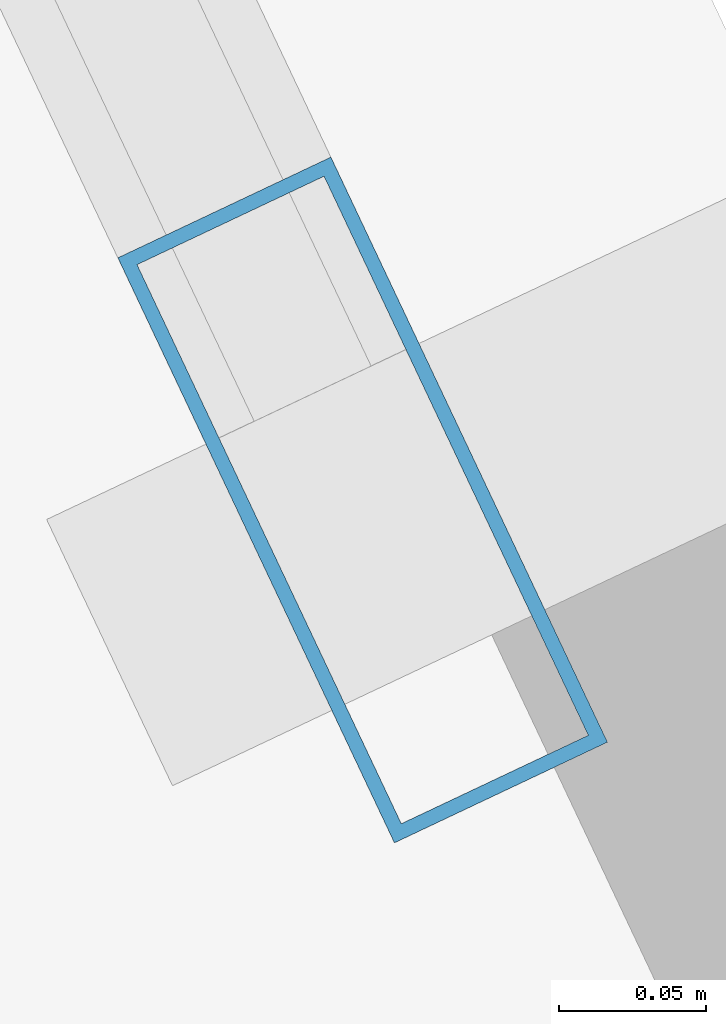
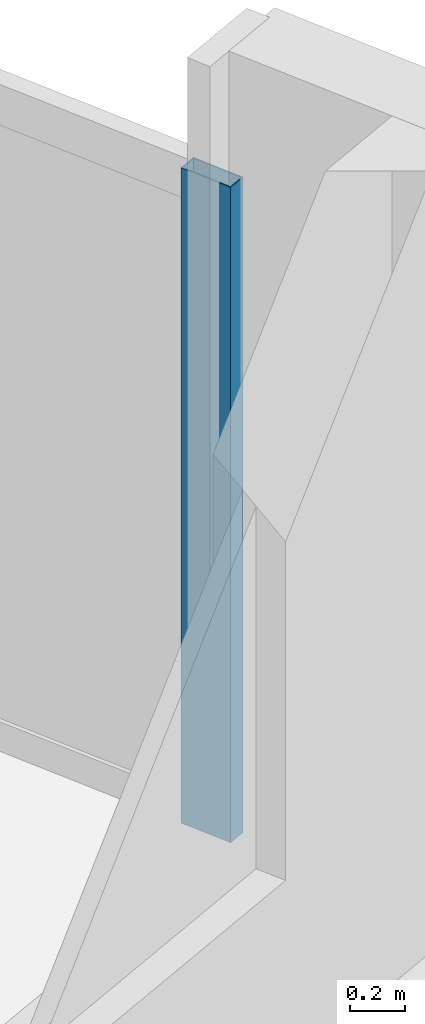
# One storey, part 23 of 34: 1 member, 1 element without a shape of its own.
"""IFC4 building model written with IfcOpenShell, lengths in metres."""

import ifcopenshell
import ifcopenshell.guid

model = None  # the IFC model being written
_history = None  # IfcOwnerHistory: only IFC2X3 demands one
_inside = {}  # id of a spatial element -> (the spatial element, [elements in it])
_under = {}  # id of a project, library or spatial element -> (it, [spatial elements below it])
_declared = {}  # id of a project -> (the project, [libraries it declares])
_typed = {}  # id of a type object -> (the type object, [elements of that type])
_made_of = {}  # id of a material, layer set ... -> (it, [elements and type objects made of it])


def new_model(schema):
    """Start an empty IFC model of exactly this schema.

    Asked for "IFC4X3", IfcOpenShell would pick the latest addendum, in which some entities
    have other attributes; the version numbers below select the first issue.
    IFC2X3 requires an IfcOwnerHistory on every rooted entity: one is made here for all.
    """
    global model, _history
    if schema == "IFC4X3":
        model = ifcopenshell.file(schema_version=(4, 3, 0, 0))
    else:
        model = ifcopenshell.file(schema=schema)
    _inside.clear()
    _under.clear()
    _declared.clear()
    _typed.clear()
    _made_of.clear()
    _history = None
    if model.schema == "IFC2X3":
        org = make("IfcOrganization", Name="unknown")
        user = make(
            "IfcPersonAndOrganization",
            ThePerson=make("IfcPerson", FamilyName="unknown"),
            TheOrganization=org,
        )
        app = make(
            "IfcApplication",
            ApplicationDeveloper=org,
            Version="unknown",
            ApplicationFullName="unknown",
            ApplicationIdentifier="unknown",
        )
        _history = make(
            "IfcOwnerHistory",
            OwningUser=user,
            OwningApplication=app,
            ChangeAction="ADDED",
            CreationDate=0,
        )
    return model


def make(cls, **values):
    """One entity of the class cls with the attributes given. An attribute that is None is left unset."""
    return model.create_entity(
        cls, **{name: value for name, value in values.items() if value is not None}
    )


def rooted(cls, **values):
    """An entity with a GlobalId (a new one), such as an element, a storey or a relation."""
    return make(cls, GlobalId=ifcopenshell.guid.new(), OwnerHistory=_history, **values)


def si_unit(unit_type, name, prefix=None):
    """IfcSIUnit, for example si_unit("LENGTHUNIT", "METRE", prefix="MILLI")."""
    return make("IfcSIUnit", UnitType=unit_type, Prefix=prefix, Name=name)


def assignment(units):
    """IfcUnitAssignment: the units of a project."""
    return None if units is None else make("IfcUnitAssignment", Units=units)


def point(xyz):
    """IfcCartesianPoint."""
    return None if xyz is None else make("IfcCartesianPoint", Coordinates=xyz)


def direction(xyz):
    """IfcDirection."""
    return None if xyz is None else make("IfcDirection", DirectionRatios=xyz)


def frame(location, z_axis=None, x_axis=None):
    """IfcAxis2Placement3D, a coordinate frame: its origin and axes. An axis left out is left unset."""
    return make(
        "IfcAxis2Placement3D",
        Location=point(location),
        Axis=direction(z_axis),
        RefDirection=direction(x_axis),
    )


def frame_2d(location, x_axis=None):
    """IfcAxis2Placement2D, a coordinate frame in the plane: its origin and x axis."""
    return make(
        "IfcAxis2Placement2D", Location=point(location), RefDirection=direction(x_axis)
    )


def origin():
    """The frame at (0, 0, 0) with its axes left unset."""
    return frame((0.0, 0.0, 0.0))


def origin_2d():
    """The frame at (0, 0) in the plane with its x axis left unset."""
    return frame_2d((0.0, 0.0))


def place(relative_to, where):
    """IfcLocalPlacement: puts the frame where relative to a parent placement (None: the world)."""
    return make(
        "IfcLocalPlacement", PlacementRelTo=relative_to, RelativePlacement=where
    )


def context(
    kind, dimensions, precision=None, world=None, true_north=None, identifier=None
):
    """IfcGeometricRepresentationContext, for example the 3D "Model" context."""
    return make(
        "IfcGeometricRepresentationContext",
        ContextIdentifier=identifier,
        ContextType=kind,
        CoordinateSpaceDimension=dimensions,
        Precision=precision,
        WorldCoordinateSystem=world,
        TrueNorth=true_north,
    )


def subcontext(parent, identifier, kind, view, scale=None):
    """IfcGeometricRepresentationSubContext, for example "Body" below "Model"."""
    return make(
        "IfcGeometricRepresentationSubContext",
        ContextIdentifier=identifier,
        ContextType=kind,
        ParentContext=parent,
        TargetScale=scale,
        TargetView=view,
    )


def project(units=None, contexts=None):
    """IfcProject with its units and contexts."""
    return rooted(
        "IfcProject",
        Name="project",
        RepresentationContexts=contexts,
        UnitsInContext=assignment(units),
    )


def spatial(cls, under=None, at=None, **own):
    """A site, building, storey or space (cls), placed at a placement, below another one or the project."""
    s = rooted(cls, ObjectPlacement=at, **own)
    if under is not None:
        _under.setdefault(under.id(), (under, []))[1].append(s)
    return s


def profile(cls, at=None, kind="AREA", **sizes):
    """A parametric profile (cls). Its sizes go by their IFC names, for example OverallWidth=200.0."""
    return make(cls, ProfileType=kind, Position=at, **sizes)


def hollow_rectangle(**sizes):
    """IfcRectangleHollowProfileDef."""
    return profile("IfcRectangleHollowProfileDef", **sizes)


def extrude(swept, where, along, depth):
    """IfcExtrudedAreaSolid: the profile swept, set in the frame where, extruded along a direction by depth."""
    return make(
        "IfcExtrudedAreaSolid",
        SweptArea=swept,
        Position=where,
        ExtrudedDirection=direction(along),
        Depth=depth,
    )


def shape(context_of_items, identifier, shape_type, items):
    """IfcShapeRepresentation: the items that make up one representation, for example the "Body"."""
    return make(
        "IfcShapeRepresentation",
        ContextOfItems=context_of_items,
        RepresentationIdentifier=identifier,
        RepresentationType=shape_type,
        Items=items,
    )


def material(Name=None, Category=None):
    """IfcMaterial."""
    return make("IfcMaterial", Name=Name, Category=Category)


def material_profile(
    of_material, cross_section, Name=None, Category=None, Priority=None
):
    """IfcMaterialProfile: a cross section and its material."""
    return make(
        "IfcMaterialProfile",
        Name=Name,
        Material=of_material,
        Profile=cross_section,
        Priority=Priority,
        Category=Category,
    )


def profile_set(profiles, Name=None, composite=None):
    """IfcMaterialProfileSet."""
    return make(
        "IfcMaterialProfileSet",
        Name=Name,
        MaterialProfiles=profiles,
        CompositeProfile=composite,
    )


def made_of(thing, what):
    """Note that an element or type object is made of a material, layer set ...; save() writes the relation."""
    if what is not None:
        _made_of.setdefault(what.id(), (what, []))[1].append(thing)
    return thing


def type_object(cls, material=None, **own):
    """A type object (cls), such as IfcWallType, which elements share."""
    return made_of(rooted(cls, **own), material)


def element(
    cls,
    number,
    at=None,
    inside=None,
    cuts=None,
    type_object=None,
    material=None,
    context=None,
    identifier="Body",
    shape_type=None,
    held_by="IfcProductDefinitionShape",
    body=None,
    shapes=None,
    **own,
):
    """One element of the class cls, such as IfcWall. Its Tag is "e" and its number.

    at: its placement. inside: the storey or other place that contains it. cuts: it is an
    opening in that element (IfcRelVoidsElement). A single representation is given by context,
    identifier, shape_type and body (its items); several are given by shapes. held_by: the class
    of the entity that holds the representations. save() writes the other relations.
    """
    e = rooted(cls, Tag="e%d" % number, ObjectPlacement=at, **own)
    if body is not None:
        shapes = [shape(context, identifier, shape_type, body)]
    if shapes is not None:
        e.Representation = make(held_by, Representations=shapes)
    if inside is not None:
        _inside.setdefault(inside.id(), (inside, []))[1].append(e)
    if cuts is not None:
        rooted(
            "IfcRelVoidsElement", RelatingBuildingElement=cuts, RelatedOpeningElement=e
        )
    if type_object is not None:
        _typed.setdefault(type_object.id(), (type_object, []))[1].append(e)
    return made_of(e, material)


def aggregate(whole, parts):
    """IfcRelAggregates: a whole, such as a stair, and the parts it consists of."""
    return rooted("IfcRelAggregates", RelatingObject=whole, RelatedObjects=parts)


def save(model, path):
    """Write the relations noted so far, then the file.

    IfcRelAggregates (storeys below a building ...), IfcRelContainedInSpatialStructure (elements
    in a storey), IfcRelDefinesByType, IfcRelAssociatesMaterial and IfcRelDeclares: one each for
    every whole, place, type object, material and project.
    """
    for whole, parts in _under.values():
        aggregate(whole, parts)
    for where, things in _inside.values():
        rooted(
            "IfcRelContainedInSpatialStructure",
            RelatedElements=things,
            RelatingStructure=where,
        )
    for kind, things in _typed.values():
        rooted("IfcRelDefinesByType", RelatedObjects=things, RelatingType=kind)
    for what, things in _made_of.values():
        rooted("IfcRelAssociatesMaterial", RelatedObjects=things, RelatingMaterial=what)
    for by, libraries in _declared.values():
        rooted("IfcRelDeclares", RelatingContext=by, RelatedDefinitions=libraries)
    model.write(path)


model = new_model("IFC4")

# Units and contexts
model_context = context("Model", 3, precision=1e-05, world=origin(), true_north=direction((0.0, 1.0)))
body_context = subcontext(model_context, "Body", "Model", "MODEL_VIEW")
ifc_project = project(units=[si_unit("LENGTHUNIT", "METRE"), si_unit("AREAUNIT", "SQUARE_METRE"), si_unit("VOLUMEUNIT", "CUBIC_METRE"), si_unit("PLANEANGLEUNIT", "RADIAN"), si_unit("MASSUNIT", "GRAM", prefix="KILO")], contexts=[model_context])

# Site, building, storey
site_placement = place(None, origin())
site = spatial("IfcSite", under=ifc_project, at=site_placement, CompositionType="ELEMENT")
building_placement = place(site_placement, origin())
building = spatial("IfcBuilding", under=site, at=building_placement, Name="Haldenkirk Collegiate Tower", CompositionType="ELEMENT")
storey_placement = place(building_placement, frame((0.0, 0.0, 112.949951171875)))
storey = spatial("IfcBuildingStorey", under=building, at=storey_placement, Name="L27", CompositionType="ELEMENT", Elevation=112.949951171875)

# Curtain wall, member
ifc_material = material(Name="Anodised architectural bronze aluminium", Category="aluminium")
curtain_wall_type = type_object("IfcCurtainWallType", Name="CW-SYS1-CONVEX-LOW", PredefinedType="USERDEFINED", material=ifc_material)
curtain_wall_placement = place(storey_placement, origin())
curtain_wall = element("IfcCurtainWall", 1, at=curtain_wall_placement, inside=storey, type_object=curtain_wall_type, Name="L27 Lower tower convex bronze-framed unitised curtain wall", ObjectType="UNITISED CURTAIN WALL", PredefinedType="USERDEFINED")
ifc_material_profile = material_profile(ifc_material, hollow_rectangle(XDim=0.080078125, YDim=0.219970703125, WallThickness=0.0048828125, at=origin_2d()), Name="CW-MUL-1A")
ifc_profile_set = profile_set([ifc_material_profile], Name="Anodised architectural bronze aluminium")
member_type = type_object("IfcMemberType", Name="CW-MUL-1A", PredefinedType="MULLION", material=ifc_profile_set)
member_placement = place(storey_placement, frame((67.35888671875, 19.492431640625, 0.0), z_axis=(0.0, 0.0, 1.0), x_axis=(0.904082873954, 0.427357177338, 0.0)))
member = element("IfcMember", 2, at=member_placement, type_object=member_type, Name="CW-1A mullion 5", PredefinedType="MULLION", context=body_context, shape_type="SweptSolid", body=[
    extrude(hollow_rectangle(XDim=0.080078125, YDim=0.219970703125, WallThickness=0.0048828125, at=origin_2d()), origin(), (0.0, 0.0, 1.0), 2.901123046875),
])
aggregate(curtain_wall, [member])

save(model, "model.ifc")
